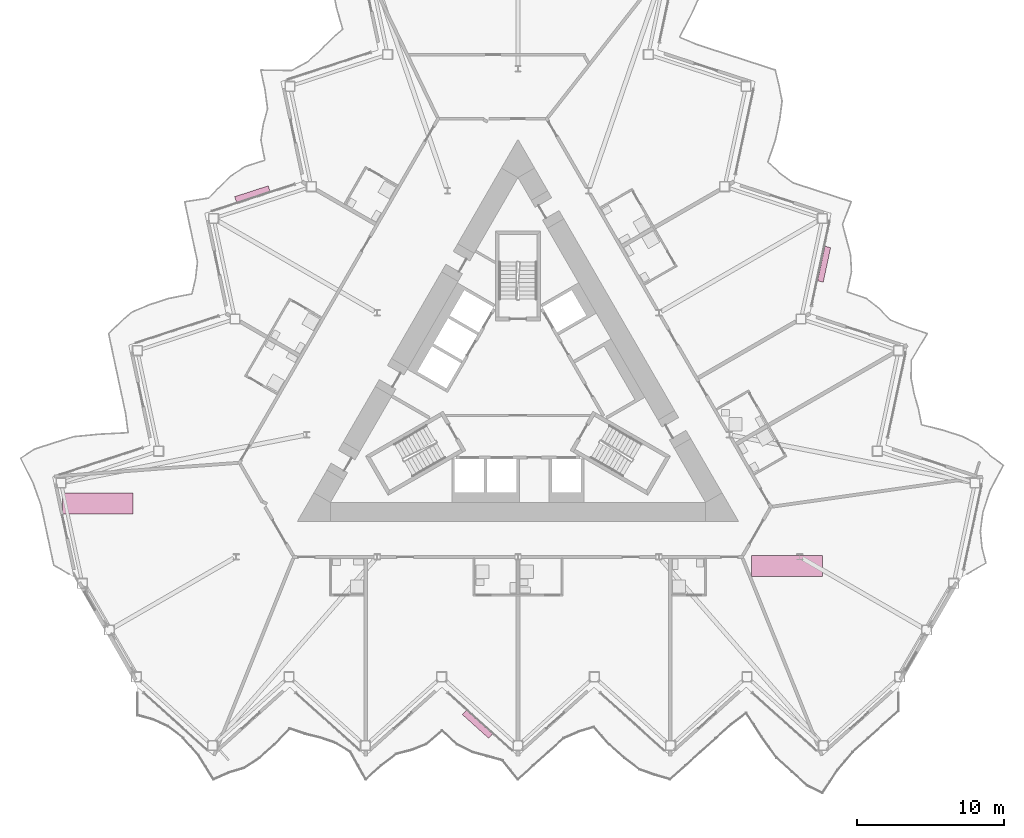
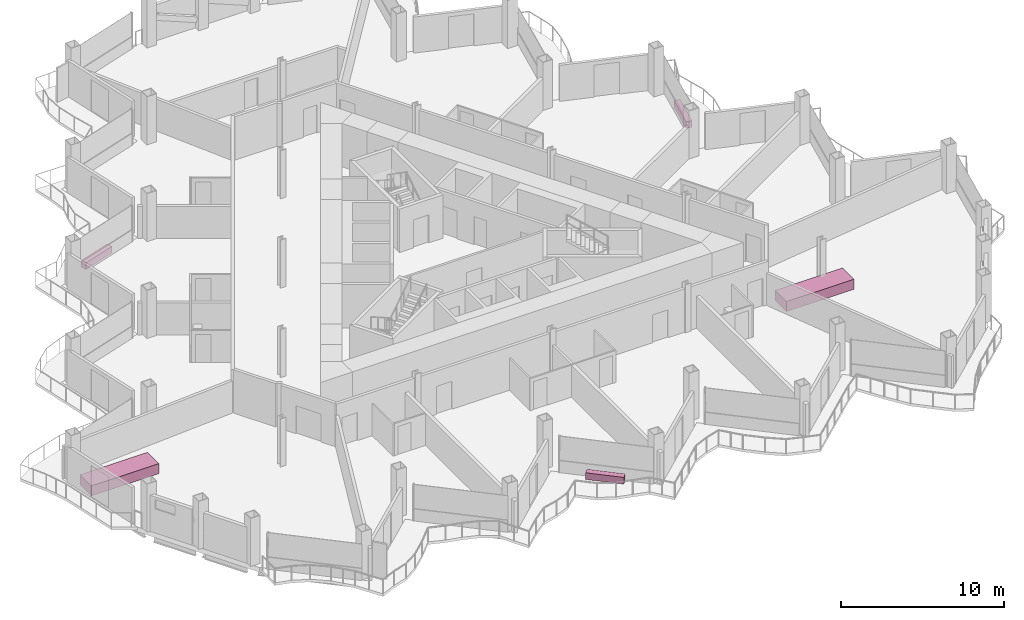
# One storey, part 24 of 24: 5 furniture elements.
"""IFC4 building model written with IfcOpenShell, lengths in metres."""

from ifc_helpers import new_model, si_unit, direction, frame, origin, origin_2d, place, context, subcontext, project, spatial, rectangle, extrude, material, type_object, element, save


model = new_model("IFC4")

# Units and contexts
model_context = context("Model", 3, precision=1e-05, world=origin(), true_north=direction((0.0, 1.0)))
body_context = subcontext(model_context, "Body", "Model", "MODEL_VIEW")
ifc_project = project(units=[si_unit("LENGTHUNIT", "METRE"), si_unit("AREAUNIT", "SQUARE_METRE"), si_unit("VOLUMEUNIT", "CUBIC_METRE"), si_unit("PLANEANGLEUNIT", "RADIAN"), si_unit("MASSUNIT", "GRAM", prefix="KILO")], contexts=[model_context])

# Site, building, storey
site_placement = place(None, origin())
site = spatial("IfcSite", under=ifc_project, at=site_placement, CompositionType="ELEMENT")
building_placement = place(site_placement, origin())
building = spatial("IfcBuilding", under=site, at=building_placement, Name="Cormorant Prow Tower", CompositionType="ELEMENT")
storey_placement = place(building_placement, frame((0.0, 0.0, 234.60009765625)))
storey = spatial("IfcBuildingStorey", under=building, at=storey_placement, Name="L51", CompositionType="ELEMENT", Elevation=234.60009765625)

# Furniture
ifc_material_1 = material(Name="Terracotta", Category="masonry")
furniture_type_1 = type_object("IfcFurnitureType", Name="Balcony planter 2400x400x500", AssemblyPlace="NOTDEFINED", PredefinedType="USERDEFINED", material=ifc_material_1)
for number, where, z_axis, x_axis, name in (
    (1, (-2.753173828125, -22.43701171875, 0.0), (0.0, 0.0, 1.0), (0.74314485959, -0.669130568473, 0.0), "Balcony planter S04"),
    (2, (20.8076171875, 8.834228515625, 0.0), (0.0, 0.0, 1.0), (0.207911675316, 0.978147604029, 0.0), "Balcony planter ENE04"),
    (3, (-18.054443359375, 13.602783203125, 0.0), (0.0, 0.0, 1.0), (-0.951056501755, -0.309017039126, 0.0), "Balcony planter WNW04"),
):
    element("IfcFurniture", number, at=place(storey_placement, frame(where, z_axis=z_axis, x_axis=x_axis)), inside=storey, type_object=furniture_type_1, Name=name, ObjectType="PLANTER", PredefinedType="USERDEFINED", context=body_context, shape_type="SweptSolid", body=[
        extrude(rectangle(XDim=2.39990234375, YDim=0.39990234375, at=origin_2d()), origin(), (0.0, 0.0, 1.0), 0.5),
    ])
ifc_material_2 = material(Name="Timber joinery", Category="wood")
furniture_type_2 = type_object("IfcFurnitureType", Name="Conference table 4800x1400", AssemblyPlace="NOTDEFINED", PredefinedType="TABLE", material=ifc_material_2)
for number, where, z_axis, x_axis, name in (
    (4, (18.286376953125, -11.681396484375, 0.0), (0.0, 0.0, 1.0), (1.0, 0.0, 0.0), "Conference table"),
    (5, (-28.569580078125, -7.431396484375, 0.0), (0.0, 0.0, 1.0), (1.0, 0.0, 0.0), "Conference table"),
):
    element("IfcFurniture", number, at=place(storey_placement, frame(where, z_axis=z_axis, x_axis=x_axis)), inside=storey, type_object=furniture_type_2, Name=name, PredefinedType="TABLE", context=body_context, shape_type="SweptSolid", body=[
        extrude(rectangle(XDim=4.800048828125, YDim=1.39990234375, at=origin_2d()), origin(), (0.0, 0.0, 1.0), 0.75),
    ])

save(model, "model.ifc")
